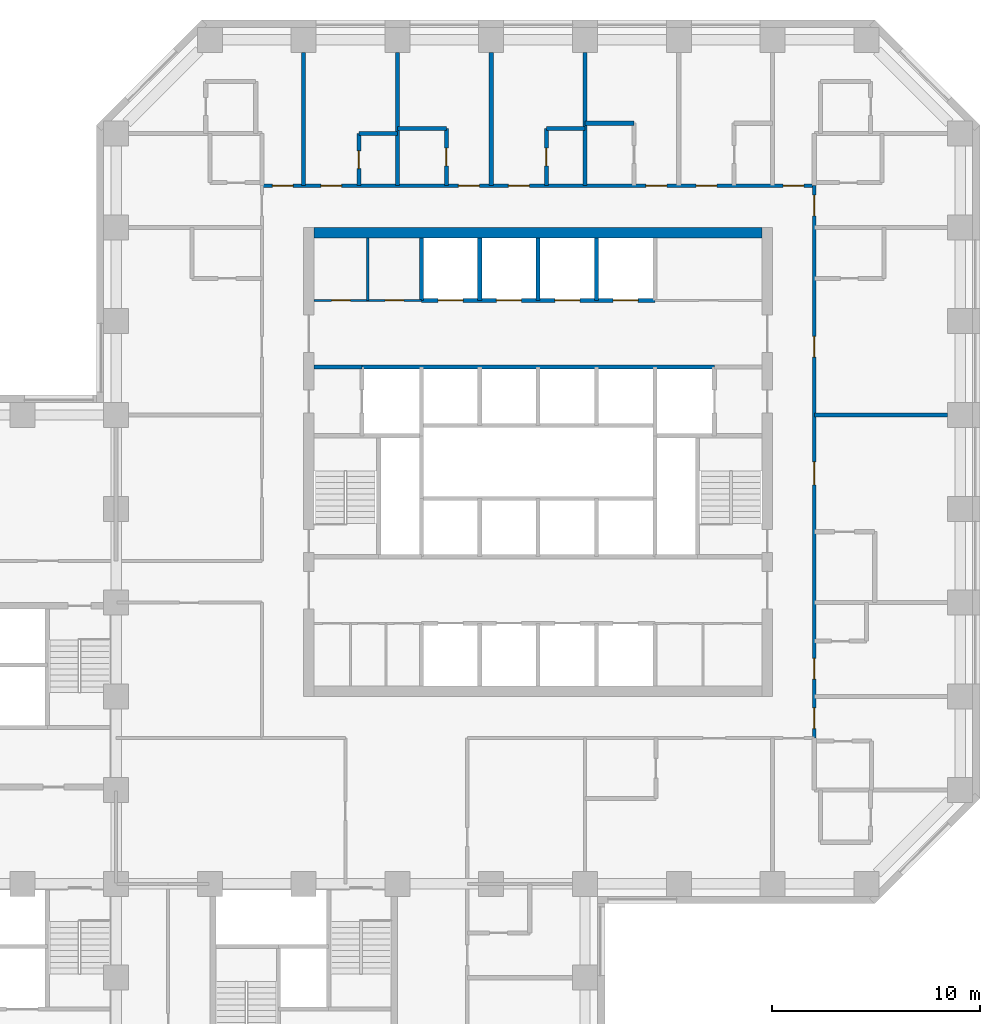
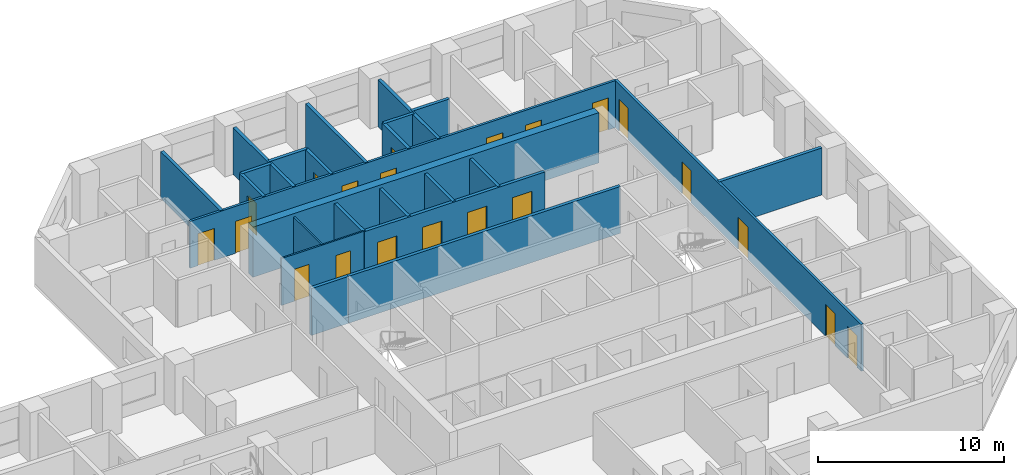
# One storey, part 9 of 12: 24 walls, 21 doors, 21 openings.
"""IFC4 building model written with IfcOpenShell, lengths in metres."""

from ifc_helpers import new_model, si_unit, direction, frame, frame_2d, origin, place, context, subcontext, project, spatial, rectangle, extrude, material, layer, layer_set, type_object, element, fill, save


model = new_model("IFC4")

# Units and contexts
model_context = context("Model", 3, precision=1e-05, world=origin(), true_north=direction((0.0, 1.0)))
body_context = subcontext(model_context, "Body", "Model", "MODEL_VIEW")
ifc_project = project(units=[si_unit("LENGTHUNIT", "METRE"), si_unit("AREAUNIT", "SQUARE_METRE"), si_unit("VOLUMEUNIT", "CUBIC_METRE"), si_unit("PLANEANGLEUNIT", "RADIAN"), si_unit("MASSUNIT", "GRAM", prefix="KILO")], contexts=[model_context])

# Site, building, storey
site_placement = place(None, origin())
site = spatial("IfcSite", under=ifc_project, at=site_placement, CompositionType="ELEMENT")
building_placement = place(site_placement, origin())
building = spatial("IfcBuilding", under=site, at=building_placement, Name="Quoin Convention Tower", CompositionType="ELEMENT")
storey_placement = place(building_placement, frame((0.0, 0.0, 56.10009765625)))
storey = spatial("IfcBuildingStorey", under=building, at=storey_placement, Name="L14", CompositionType="ELEMENT", Elevation=56.10009765625)

# Wall, openings, doors
ifc_material_1 = material(Name="Plasterboard")
ifc_layer_1 = layer(ifc_material_1, 0.012451171875, Name="Finish")
ifc_material_2 = material(Name="Steel stud framing", Category="steel")
ifc_layer_2 = layer(ifc_material_2, 0.074951171875, Name="Structure")
ifc_layer_3 = layer(ifc_material_1, 0.012451171875, Name="Finish")
ifc_layer_set_1 = layer_set([ifc_layer_1, ifc_layer_2, ifc_layer_3], Name="Steel stud framing")
wall_type_1 = type_object("IfcWallType", Name="Core partition wall", PredefinedType="PARTITIONING", material=ifc_layer_set_1)
wall_1_placement = place(storey_placement, frame((45.5, 68.5, 0.0), z_axis=(0.0, 0.0, 1.0), x_axis=(1.0, 0.0, 0.0)))
wall_1 = element("IfcWall", 1, at=wall_1_placement, inside=storey, type_object=wall_type_1, Name="cr-C1-L14-h19000_500", PredefinedType="PARTITIONING", context=body_context, shape_type="SweptSolid", body=[
    extrude(rectangle(XDim=5.14990234375, YDim=0.10009765625, at=frame_2d((2.574951171875, 0.0))), origin(), (0.0, 0.0, 1.0), 3.079833984375),
])
opening_1_placement = place(wall_1_placement, frame((0.83740234375, 0.0, 0.0)))
opening_1 = element("IfcOpeningElement", 2, at=opening_1_placement, cuts=wall_1, Name="Opening DCV5-18", PredefinedType="OPENING", context=body_context, shape_type="SweptSolid", body=[
    extrude(rectangle(XDim=0.89990234375, YDim=2.10009765625, at=frame_2d((0.449951171875, 1.050048828125))), frame((0.0, 0.06005859375, 0.0), z_axis=(0.0, -1.0, 0.0), x_axis=(1.0, 0.0, 0.0)), (0.0, 0.0, 1.0), 0.1201171875),
])
opening_2_placement = place(wall_1_placement, frame((3.41259765625, 0.0, 0.0)))
opening_2 = element("IfcOpeningElement", 3, at=opening_2_placement, cuts=wall_1, Name="Opening DCV5-19", PredefinedType="OPENING", context=body_context, shape_type="SweptSolid", body=[
    extrude(rectangle(XDim=0.89990234375, YDim=2.10009765625, at=frame_2d((0.449951171875, 1.050048828125))), frame((0.0, 0.06005859375, 0.0), z_axis=(0.0, -1.0, 0.0), x_axis=(1.0, 0.0, 0.0)), (0.0, 0.0, 1.0), 0.1201171875),
])
ifc_material_3 = material(Name="Steel door leaf", Category="steel")
door_type_1 = type_object("IfcDoorType", Name="Core room door 900 x 2100", OperationType="SINGLE_SWING_LEFT", PredefinedType="DOOR", material=ifc_material_3)
door_1_placement = place(opening_1_placement, origin())
door_1 = element("IfcDoor", 4, at=door_1_placement, inside=storey, type_object=door_type_1, Name="cd-C1-L14-CNW0-lobB-CD1408", OperationType="SINGLE_SWING_RIGHT", OverallHeight=2.10009765625, OverallWidth=0.89990234375, PredefinedType="DOOR", context=body_context, shape_type="SweptSolid", body=[
    extrude(rectangle(XDim=0.89990234375, YDim=2.10009765625, at=frame_2d((0.449951171875, 1.050048828125))), frame((0.0, 0.02490234375, 0.0), z_axis=(0.0, -1.0, 0.0), x_axis=(1.0, 0.0, 0.0)), (0.0, 0.0, 1.0), 0.050048828125),
])
fill(opening_1, door_1)
door_2_placement = place(opening_2_placement, origin())
door_2 = element("IfcDoor", 5, at=door_2_placement, inside=storey, type_object=door_type_1, Name="cd-C1-L14-CNW1-lobB-CD1409", OperationType="SINGLE_SWING_RIGHT", OverallHeight=2.10009765625, OverallWidth=0.89990234375, PredefinedType="DOOR", context=body_context, shape_type="SweptSolid", body=[
    extrude(rectangle(XDim=0.89990234375, YDim=2.10009765625, at=frame_2d((0.449951171875, 1.050048828125))), frame((0.0, 0.02490234375, 0.0), z_axis=(0.0, -1.0, 0.0), x_axis=(1.0, 0.0, 0.0)), (0.0, 0.0, 1.0), 0.050048828125),
])
fill(opening_2, door_2)

# Walls
wall_2_placement = place(storey_placement, frame((48.074951171875, 68.5, 0.0), z_axis=(0.0, 0.0, 1.0), x_axis=(0.0, 1.0, 0.0)))
element("IfcWall", 6, at=wall_2_placement, inside=storey, type_object=wall_type_1, Name="cr-C1-L14-v3075_19000", PredefinedType="PARTITIONING", context=body_context, shape_type="SweptSolid", body=[
    extrude(rectangle(XDim=3.0, YDim=0.10009765625, at=frame_2d((1.5, 0.0))), origin(), (0.0, 0.0, 1.0), 3.079833984375),
])
ifc_material_4 = material(Name="Concrete C50", Category="concrete")
ifc_layer_4 = layer(ifc_material_4, 0.199951171875)
ifc_layer_set_2 = layer_set([ifc_layer_4], Name="Concrete C50")
wall_type_2 = type_object("IfcWallType", Name="Core shaft wall", PredefinedType="SOLIDWALL", material=ifc_layer_set_2)
wall_3_placement = place(storey_placement, frame((45.5, 65.300048828125, 0.0), z_axis=(0.0, 0.0, 1.0), x_axis=(1.0, 0.0, 0.0)))
element("IfcWall", 7, at=wall_3_placement, inside=storey, type_object=wall_type_2, Name="cr-C1-L14-h15800_500", PredefinedType="SOLIDWALL", context=body_context, shape_type="SweptSolid", body=[
    extrude(rectangle(XDim=2.300048828125, YDim=0.199951171875, at=frame_2d((1.14990234375, 0.0))), origin(), (0.0, 0.0, 1.0), 3.079833984375),
])
wall_4_placement = place(storey_placement, frame((47.800048828125, 65.300048828125, 0.0), z_axis=(0.0, 0.0, 1.0), x_axis=(1.0, 0.0, 0.0)))
element("IfcWall", 8, at=wall_4_placement, inside=storey, type_object=wall_type_2, Name="cr-C1-L14-h15800_2800", PredefinedType="SOLIDWALL", context=body_context, shape_type="SweptSolid", body=[
    extrude(rectangle(XDim=16.89990234375, YDim=0.199951171875, at=frame_2d((8.449951171875, 0.0))), origin(), (0.0, 0.0, 1.0), 3.079833984375),
])

# Wall, openings, doors
wall_5_placement = place(storey_placement, frame((50.64990234375, 68.5, 0.0), z_axis=(0.0, 0.0, 1.0), x_axis=(1.0, 0.0, 0.0)))
wall_5 = element("IfcWall", 9, at=wall_5_placement, inside=storey, type_object=wall_type_2, Name="cr-C1-L14-h19000_5650", PredefinedType="SOLIDWALL", context=body_context, shape_type="SweptSolid", body=[
    extrude(rectangle(XDim=11.2001953125, YDim=0.199951171875, at=frame_2d((5.60009765625, 0.0))), origin(), (0.0, 0.0, 1.0), 3.079833984375),
])
opening_3_placement = place(wall_5_placement, frame((0.800048828125, 0.0, 0.0)))
opening_3 = element("IfcOpeningElement", 10, at=opening_3_placement, cuts=wall_5, Name="Opening LDL5", PredefinedType="OPENING", context=body_context, shape_type="SweptSolid", body=[
    extrude(rectangle(XDim=1.199951171875, YDim=2.10009765625, at=frame_2d((0.60009765625, 1.050048828125))), frame((0.0, 0.10986328125, 0.0), z_axis=(0.0, -1.0, 0.0), x_axis=(1.0, 0.0, 0.0)), (0.0, 0.0, 1.0), 0.219970703125),
])
opening_4_placement = place(wall_5_placement, frame((3.60009765625, 0.0, 0.0)))
opening_4 = element("IfcOpeningElement", 11, at=opening_4_placement, cuts=wall_5, Name="Opening LDL6", PredefinedType="OPENING", context=body_context, shape_type="SweptSolid", body=[
    extrude(rectangle(XDim=1.199951171875, YDim=2.10009765625, at=frame_2d((0.60009765625, 1.050048828125))), frame((0.0, 0.10986328125, 0.0), z_axis=(0.0, -1.0, 0.0), x_axis=(1.0, 0.0, 0.0)), (0.0, 0.0, 1.0), 0.219970703125),
])
opening_5_placement = place(wall_5_placement, frame((6.39990234375, 0.0, 0.0)))
opening_5 = element("IfcOpeningElement", 12, at=opening_5_placement, cuts=wall_5, Name="Opening LDL7", PredefinedType="OPENING", context=body_context, shape_type="SweptSolid", body=[
    extrude(rectangle(XDim=1.199951171875, YDim=2.10009765625, at=frame_2d((0.60009765625, 1.050048828125))), frame((0.0, 0.10986328125, 0.0), z_axis=(0.0, -1.0, 0.0), x_axis=(1.0, 0.0, 0.0)), (0.0, 0.0, 1.0), 0.219970703125),
])
opening_6_placement = place(wall_5_placement, frame((9.199951171875, 0.0, 0.0)))
opening_6 = element("IfcOpeningElement", 13, at=opening_6_placement, cuts=wall_5, Name="Opening LDL8", PredefinedType="OPENING", context=body_context, shape_type="SweptSolid", body=[
    extrude(rectangle(XDim=1.199951171875, YDim=2.10009765625, at=frame_2d((0.60009765625, 1.050048828125))), frame((0.0, 0.10986328125, 0.0), z_axis=(0.0, -1.0, 0.0), x_axis=(1.0, 0.0, 0.0)), (0.0, 0.0, 1.0), 0.219970703125),
])
door_type_2 = type_object("IfcDoorType", Name="Lift landing door 1200 x 2100", OperationType="DOUBLE_DOOR_SLIDING", PredefinedType="DOOR", material=ifc_material_3)
door_3_placement = place(opening_3_placement, origin())
door_3 = element("IfcDoor", 14, at=door_3_placement, inside=storey, type_object=door_type_2, Name="cd-C1-L14-R40-lobB-LDL5", OperationType="DOUBLE_DOOR_SLIDING", OverallHeight=2.10009765625, OverallWidth=1.199951171875, PredefinedType="DOOR", context=body_context, shape_type="SweptSolid", body=[
    extrude(rectangle(XDim=1.199951171875, YDim=2.10009765625, at=frame_2d((0.60009765625, 1.050048828125))), frame((0.0, 0.02490234375, 0.0), z_axis=(0.0, -1.0, 0.0), x_axis=(1.0, 0.0, 0.0)), (0.0, 0.0, 1.0), 0.050048828125),
])
fill(opening_3, door_3)
door_4_placement = place(opening_4_placement, origin())
door_4 = element("IfcDoor", 15, at=door_4_placement, inside=storey, type_object=door_type_2, Name="cd-C1-L14-R41-lobB-LDL6", OperationType="DOUBLE_DOOR_SLIDING", OverallHeight=2.10009765625, OverallWidth=1.199951171875, PredefinedType="DOOR", context=body_context, shape_type="SweptSolid", body=[
    extrude(rectangle(XDim=1.199951171875, YDim=2.10009765625, at=frame_2d((0.60009765625, 1.050048828125))), frame((0.0, 0.02490234375, 0.0), z_axis=(0.0, -1.0, 0.0), x_axis=(1.0, 0.0, 0.0)), (0.0, 0.0, 1.0), 0.050048828125),
])
fill(opening_4, door_4)
door_5_placement = place(opening_5_placement, origin())
door_5 = element("IfcDoor", 16, at=door_5_placement, inside=storey, type_object=door_type_2, Name="cd-C1-L14-R42-lobB-LDL7", OperationType="DOUBLE_DOOR_SLIDING", OverallHeight=2.10009765625, OverallWidth=1.199951171875, PredefinedType="DOOR", context=body_context, shape_type="SweptSolid", body=[
    extrude(rectangle(XDim=1.199951171875, YDim=2.10009765625, at=frame_2d((0.60009765625, 1.050048828125))), frame((0.0, 0.02490234375, 0.0), z_axis=(0.0, -1.0, 0.0), x_axis=(1.0, 0.0, 0.0)), (0.0, 0.0, 1.0), 0.050048828125),
])
fill(opening_5, door_5)
door_6_placement = place(opening_6_placement, origin())
door_6 = element("IfcDoor", 17, at=door_6_placement, inside=storey, type_object=door_type_2, Name="cd-C1-L14-R43-lobB-LDL8", OperationType="DOUBLE_DOOR_SLIDING", OverallHeight=2.10009765625, OverallWidth=1.199951171875, PredefinedType="DOOR", context=body_context, shape_type="SweptSolid", body=[
    extrude(rectangle(XDim=1.199951171875, YDim=2.10009765625, at=frame_2d((0.60009765625, 1.050048828125))), frame((0.0, 0.02490234375, 0.0), z_axis=(0.0, -1.0, 0.0), x_axis=(1.0, 0.0, 0.0)), (0.0, 0.0, 1.0), 0.050048828125),
])
fill(opening_6, door_6)

# Walls
for number, where, z_axis, x_axis, name in (
    (18, (50.64990234375, 68.5, 0.0), (0.0, 0.0, 1.0), (0.0, 1.0, 0.0), "cr-C1-L14-v5650_19000"),
    (19, (53.449951171875, 68.5, 0.0), (0.0, 0.0, 1.0), (0.0, 1.0, 0.0), "cr-C1-L14-v8450_19000"),
    (20, (56.25, 68.5, 0.0), (0.0, 0.0, 1.0), (0.0, 1.0, 0.0), "cr-C1-L14-v11250_19000"),
    (21, (59.050048828125, 68.5, 0.0), (0.0, 0.0, 1.0), (0.0, 1.0, 0.0), "cr-C1-L14-v14050_19000"),
):
    element("IfcWall", number, at=place(storey_placement, frame(where, z_axis=z_axis, x_axis=x_axis)), inside=storey, type_object=wall_type_2, Name=name, PredefinedType="SOLIDWALL", context=body_context, shape_type="SweptSolid", body=[
        extrude(rectangle(XDim=3.0, YDim=0.199951171875, at=frame_2d((1.5, 0.0))), origin(), (0.0, 0.0, 1.0), 3.079833984375),
    ])
ifc_material_5 = material(Name="Concrete C80", Category="concrete")
ifc_layer_5 = layer(ifc_material_5, 0.5)
ifc_layer_set_3 = layer_set([ifc_layer_5], Name="Concrete C80")
wall_type_3 = type_object("IfcWallType", Name="RC CORE WALL 500 C80", PredefinedType="SHEAR", material=ifc_layer_set_3)
wall_6_placement = place(storey_placement, frame((45.5, 71.75, 0.0), z_axis=(0.0, 0.0, 1.0), x_axis=(1.0, 0.0, 0.0)))
element("IfcWall", 22, at=wall_6_placement, inside=storey, type_object=wall_type_3, Name="cwl-C1-L14-N", PredefinedType="SHEAR", context=body_context, shape_type="SweptSolid", body=[
    extrude(rectangle(XDim=21.5, YDim=0.5, at=frame_2d((10.75, 0.0))), origin(), (0.0, 0.0, 1.0), 3.2998046875),
])
ifc_layer_6 = layer(ifc_material_4, 0.199951171875)
ifc_layer_set_4 = layer_set([ifc_layer_6], Name="Concrete C50")
wall_type_4 = type_object("IfcWallType", Name="RC party wall", PredefinedType="SOLIDWALL", material=ifc_layer_set_4)
for number, where, z_axis, x_axis, name in (
    (23, (69.5, 63.0, 0.0), (0.0, 0.0, 1.0), (1.0, 0.0, 0.0), "pw-L14-113"),
    (24, (45.0, 74.0, 0.0), (0.0, 0.0, 1.0), (0.0, 1.0, 0.0), "pw-L14-121"),
):
    element("IfcWall", number, at=place(storey_placement, frame(where, z_axis=z_axis, x_axis=x_axis)), inside=storey, type_object=wall_type_4, Name=name, PredefinedType="SOLIDWALL", context=body_context, shape_type="SweptSolid", body=[
        extrude(rectangle(XDim=6.39990234375, YDim=0.199951171875, at=frame_2d((3.199951171875, 0.0))), origin(), (0.0, 0.0, 1.0), 3.079833984375),
    ])

# Wall, opening, door
wall_7_placement = place(storey_placement, frame((47.64990234375, 74.0, 0.0), z_axis=(0.0, 0.0, 1.0), x_axis=(0.0, 1.0, 0.0)))
wall_7 = element("IfcWall", 25, at=wall_7_placement, inside=storey, type_object=wall_type_4, Name="pw-L14-122", PredefinedType="SOLIDWALL", context=body_context, shape_type="SweptSolid", body=[
    extrude(rectangle(XDim=2.5, YDim=0.199951171875, at=frame_2d((1.25, 0.0))), origin(), (0.0, 0.0, 1.0), 3.079833984375),
])
opening_7_placement = place(wall_7_placement, frame((0.824951171875, 0.0, 0.0)))
opening_7 = element("IfcOpeningElement", 26, at=opening_7_placement, cuts=wall_7, Name="Opening DHOTEL-C-65", PredefinedType="OPENING", context=body_context, shape_type="SweptSolid", body=[
    extrude(rectangle(XDim=0.85009765625, YDim=2.10009765625, at=frame_2d((0.425048828125, 1.050048828125))), frame((0.0, 0.10986328125, 0.0), z_axis=(0.0, -1.0, 0.0), x_axis=(1.0, 0.0, 0.0)), (0.0, 0.0, 1.0), 0.219970703125),
])
door_type_3 = type_object("IfcDoorType", Name="Bathroom door", OperationType="SINGLE_SWING_LEFT", PredefinedType="DOOR", material=ifc_material_3)
door_7_placement = place(opening_7_placement, origin())
door_7 = element("IfcDoor", 27, at=door_7_placement, inside=storey, type_object=door_type_3, Name="dr-L14-038", OperationType="SINGLE_SWING_LEFT", OverallHeight=2.10009765625, OverallWidth=0.85009765625, PredefinedType="DOOR", context=body_context, shape_type="SweptSolid", body=[
    extrude(rectangle(XDim=0.85009765625, YDim=2.10009765625, at=frame_2d((0.425048828125, 1.050048828125))), frame((0.0, 0.02490234375, 0.0), z_axis=(0.0, -1.0, 0.0), x_axis=(1.0, 0.0, 0.0)), (0.0, 0.0, 1.0), 0.050048828125),
])
fill(opening_7, door_7)

# Wall
wall_8_placement = place(storey_placement, frame((49.5, 74.0, 0.0), z_axis=(0.0, 0.0, 1.0), x_axis=(0.0, 1.0, 0.0)))
element("IfcWall", 28, at=wall_8_placement, inside=storey, type_object=wall_type_4, Name="pw-L14-123", PredefinedType="SOLIDWALL", context=body_context, shape_type="SweptSolid", body=[
    extrude(rectangle(XDim=6.39990234375, YDim=0.199951171875, at=frame_2d((3.199951171875, 0.0))), origin(), (0.0, 0.0, 1.0), 3.079833984375),
])

# Wall, opening, door
wall_9_placement = place(storey_placement, frame((51.85009765625, 74.0, 0.0), z_axis=(0.0, 0.0, 1.0), x_axis=(0.0, 1.0, 0.0)))
wall_9 = element("IfcWall", 29, at=wall_9_placement, inside=storey, type_object=wall_type_4, Name="pw-L14-124", PredefinedType="SOLIDWALL", context=body_context, shape_type="SweptSolid", body=[
    extrude(rectangle(XDim=2.75, YDim=0.199951171875, at=frame_2d((1.375, 0.0))), origin(), (0.0, 0.0, 1.0), 3.079833984375),
])
opening_8_placement = place(wall_9_placement, frame((0.949951171875, 0.0, 0.0)))
opening_8 = element("IfcOpeningElement", 30, at=opening_8_placement, cuts=wall_9, Name="Opening DHOTEL-C-66", PredefinedType="OPENING", context=body_context, shape_type="SweptSolid", body=[
    extrude(rectangle(XDim=0.85009765625, YDim=2.10009765625, at=frame_2d((0.425048828125, 1.050048828125))), frame((0.0, 0.10986328125, 0.0), z_axis=(0.0, -1.0, 0.0), x_axis=(1.0, 0.0, 0.0)), (0.0, 0.0, 1.0), 0.219970703125),
])
door_8_placement = place(opening_8_placement, frame((0.85009765625, 0.0, 0.0), z_axis=(0.0, 0.0, 1.0), x_axis=(-1.0, 0.0, 0.0)))
door_8 = element("IfcDoor", 31, at=door_8_placement, inside=storey, type_object=door_type_3, Name="dr-L14-040", OperationType="SINGLE_SWING_RIGHT", OverallHeight=2.10009765625, OverallWidth=0.85009765625, PredefinedType="DOOR", context=body_context, shape_type="SweptSolid", body=[
    extrude(rectangle(XDim=0.85009765625, YDim=2.10009765625, at=frame_2d((0.425048828125, 1.050048828125))), frame((0.0, 0.02490234375, 0.0), z_axis=(0.0, -1.0, 0.0), x_axis=(1.0, 0.0, 0.0)), (0.0, 0.0, 1.0), 0.050048828125),
])
fill(opening_8, door_8)

# Wall
wall_10_placement = place(storey_placement, frame((54.0, 74.0, 0.0), z_axis=(0.0, 0.0, 1.0), x_axis=(0.0, 1.0, 0.0)))
element("IfcWall", 32, at=wall_10_placement, inside=storey, type_object=wall_type_4, Name="pw-L14-125", PredefinedType="SOLIDWALL", context=body_context, shape_type="SweptSolid", body=[
    extrude(rectangle(XDim=6.39990234375, YDim=0.199951171875, at=frame_2d((3.199951171875, 0.0))), origin(), (0.0, 0.0, 1.0), 3.079833984375),
])

# Wall, opening, door
wall_11_placement = place(storey_placement, frame((56.64990234375, 74.0, 0.0), z_axis=(0.0, 0.0, 1.0), x_axis=(0.0, 1.0, 0.0)))
wall_11 = element("IfcWall", 33, at=wall_11_placement, inside=storey, type_object=wall_type_4, Name="pw-L14-126", PredefinedType="SOLIDWALL", context=body_context, shape_type="SweptSolid", body=[
    extrude(rectangle(XDim=2.75, YDim=0.199951171875, at=frame_2d((1.375, 0.0))), origin(), (0.0, 0.0, 1.0), 3.079833984375),
])
opening_9_placement = place(wall_11_placement, frame((0.949951171875, 0.0, 0.0)))
opening_9 = element("IfcOpeningElement", 34, at=opening_9_placement, cuts=wall_11, Name="Opening DHOTEL-C-67", PredefinedType="OPENING", context=body_context, shape_type="SweptSolid", body=[
    extrude(rectangle(XDim=0.85009765625, YDim=2.10009765625, at=frame_2d((0.425048828125, 1.050048828125))), frame((0.0, 0.10986328125, 0.0), z_axis=(0.0, -1.0, 0.0), x_axis=(1.0, 0.0, 0.0)), (0.0, 0.0, 1.0), 0.219970703125),
])
door_9_placement = place(opening_9_placement, origin())
door_9 = element("IfcDoor", 35, at=door_9_placement, inside=storey, type_object=door_type_3, Name="dr-L14-042", OperationType="SINGLE_SWING_LEFT", OverallHeight=2.10009765625, OverallWidth=0.85009765625, PredefinedType="DOOR", context=body_context, shape_type="SweptSolid", body=[
    extrude(rectangle(XDim=0.85009765625, YDim=2.10009765625, at=frame_2d((0.425048828125, 1.050048828125))), frame((0.0, 0.02490234375, 0.0), z_axis=(0.0, -1.0, 0.0), x_axis=(1.0, 0.0, 0.0)), (0.0, 0.0, 1.0), 0.050048828125),
])
fill(opening_9, door_9)

# Walls
wall_12_placement = place(storey_placement, frame((58.5, 74.0, 0.0), z_axis=(0.0, 0.0, 1.0), x_axis=(0.0, 1.0, 0.0)))
element("IfcWall", 36, at=wall_12_placement, inside=storey, type_object=wall_type_4, Name="pw-L14-127", PredefinedType="SOLIDWALL", context=body_context, shape_type="SweptSolid", body=[
    extrude(rectangle(XDim=6.39990234375, YDim=0.199951171875, at=frame_2d((3.199951171875, 0.0))), origin(), (0.0, 0.0, 1.0), 3.079833984375),
])
wall_13_placement = place(storey_placement, frame((47.64990234375, 76.5, 0.0), z_axis=(0.0, 0.0, 1.0), x_axis=(1.0, 0.0, 0.0)))
element("IfcWall", 37, at=wall_13_placement, inside=storey, type_object=wall_type_4, Name="pw-L14-140", PredefinedType="SOLIDWALL", context=body_context, shape_type="SweptSolid", body=[
    extrude(rectangle(XDim=1.85009765625, YDim=0.199951171875, at=frame_2d((0.925048828125, 0.0))), origin(), (0.0, 0.0, 1.0), 3.079833984375),
])
wall_14_placement = place(storey_placement, frame((49.5, 76.75, 0.0), z_axis=(0.0, 0.0, 1.0), x_axis=(1.0, 0.0, 0.0)))
element("IfcWall", 38, at=wall_14_placement, inside=storey, type_object=wall_type_4, Name="pw-L14-144", PredefinedType="SOLIDWALL", context=body_context, shape_type="SweptSolid", body=[
    extrude(rectangle(XDim=2.35009765625, YDim=0.199951171875, at=frame_2d((1.175048828125, 0.0))), origin(), (0.0, 0.0, 1.0), 3.079833984375),
])
wall_15_placement = place(storey_placement, frame((56.64990234375, 76.75, 0.0), z_axis=(0.0, 0.0, 1.0), x_axis=(1.0, 0.0, 0.0)))
element("IfcWall", 39, at=wall_15_placement, inside=storey, type_object=wall_type_4, Name="pw-L14-145", PredefinedType="SOLIDWALL", context=body_context, shape_type="SweptSolid", body=[
    extrude(rectangle(XDim=1.85009765625, YDim=0.199951171875, at=frame_2d((0.925048828125, 0.0))), origin(), (0.0, 0.0, 1.0), 3.079833984375),
])
wall_16_placement = place(storey_placement, frame((58.5, 77.0, 0.0), z_axis=(0.0, 0.0, 1.0), x_axis=(1.0, 0.0, 0.0)))
element("IfcWall", 40, at=wall_16_placement, inside=storey, type_object=wall_type_4, Name="pw-L14-146", PredefinedType="SOLIDWALL", context=body_context, shape_type="SweptSolid", body=[
    extrude(rectangle(XDim=2.35009765625, YDim=0.199951171875, at=frame_2d((1.175048828125, 0.0))), origin(), (0.0, 0.0, 1.0), 3.079833984375),
])

# Wall, openings, doors
ifc_layer_7 = layer(ifc_material_1, 0.012451171875, Name="Finish")
ifc_layer_8 = layer(ifc_material_2, 0.125, Name="Structure")
ifc_layer_9 = layer(ifc_material_1, 0.012451171875, Name="Finish")
ifc_layer_set_5 = layer_set([ifc_layer_7, ifc_layer_8, ifc_layer_9], Name="Steel stud framing")
wall_type_5 = type_object("IfcWallType", Name="corridor partition", PredefinedType="PARTITIONING", material=ifc_layer_set_5)
wall_17_placement = place(storey_placement, frame((69.5, 47.5, 0.0), z_axis=(0.0, 0.0, 1.0), x_axis=(0.0, 1.0, 0.0)))
wall_17 = element("IfcWall", 41, at=wall_17_placement, inside=storey, type_object=wall_type_5, Name="pw-L14-029", PredefinedType="PARTITIONING", context=body_context, shape_type="SweptSolid", body=[
    extrude(rectangle(XDim=26.5, YDim=0.14990234375, at=frame_2d((13.25, 0.0))), origin(), (0.0, 0.0, 1.0), 3.079833984375),
])
opening_10_placement = place(wall_17_placement, frame((25.052978515625, 0.0, 0.0)))
opening_10 = element("IfcOpeningElement", 42, at=opening_10_placement, cuts=wall_17, Name="Opening DHOTEL-C-29", PredefinedType="OPENING", context=body_context, shape_type="SweptSolid", body=[
    extrude(rectangle(XDim=1.0, YDim=2.10009765625, at=frame_2d((0.5, 1.050048828125))), frame((0.0, 0.0849609375, 0.0), z_axis=(0.0, -1.0, 0.0), x_axis=(1.0, 0.0, 0.0)), (0.0, 0.0, 1.0), 0.169921875),
])
opening_11_placement = place(wall_17_placement, frame((18.27490234375, 0.0, 0.0)))
opening_11 = element("IfcOpeningElement", 43, at=opening_11_placement, cuts=wall_17, Name="Opening DHOTEL-C-28", PredefinedType="OPENING", context=body_context, shape_type="SweptSolid", body=[
    extrude(rectangle(XDim=1.0, YDim=2.10009765625, at=frame_2d((0.5, 1.050048828125))), frame((0.0, 0.0849609375, 0.0), z_axis=(0.0, -1.0, 0.0), x_axis=(1.0, 0.0, 0.0)), (0.0, 0.0, 1.0), 0.169921875),
])
opening_12_placement = place(wall_17_placement, frame((12.14990234375, 0.0, 0.0)))
opening_12 = element("IfcOpeningElement", 44, at=opening_12_placement, cuts=wall_17, Name="Opening DHOTEL-C-27", PredefinedType="OPENING", context=body_context, shape_type="SweptSolid", body=[
    extrude(rectangle(XDim=1.10009765625, YDim=2.10009765625, at=frame_2d((0.550048828125, 1.050048828125))), frame((0.0, 0.0849609375, 0.0), z_axis=(0.0, -1.0, 0.0), x_axis=(1.0, 0.0, 0.0)), (0.0, 0.0, 1.0), 0.169921875),
])
opening_13_placement = place(wall_17_placement, frame((2.824951171875, 0.0, 0.0)))
opening_13 = element("IfcOpeningElement", 45, at=opening_13_placement, cuts=wall_17, Name="Opening DHOTEL-C-26", PredefinedType="OPENING", context=body_context, shape_type="SweptSolid", body=[
    extrude(rectangle(XDim=1.0, YDim=2.10009765625, at=frame_2d((0.5, 1.050048828125))), frame((0.0, 0.0849609375, 0.0), z_axis=(0.0, -1.0, 0.0), x_axis=(1.0, 0.0, 0.0)), (0.0, 0.0, 1.0), 0.169921875),
])
opening_14_placement = place(wall_17_placement, frame((0.447021484375, 0.0, 0.0)))
opening_14 = element("IfcOpeningElement", 46, at=opening_14_placement, cuts=wall_17, Name="Opening DHOTEL-C-25", PredefinedType="OPENING", context=body_context, shape_type="SweptSolid", body=[
    extrude(rectangle(XDim=1.0, YDim=2.10009765625, at=frame_2d((0.5, 1.050048828125))), frame((0.0, 0.0849609375, 0.0), z_axis=(0.0, -1.0, 0.0), x_axis=(1.0, 0.0, 0.0)), (0.0, 0.0, 1.0), 0.169921875),
])
door_type_4 = type_object("IfcDoorType", Name="Accessible room door", OperationType="SINGLE_SWING_LEFT", PredefinedType="DOOR", material=ifc_material_3)
door_10_placement = place(opening_12_placement, frame((1.10009765625, 0.0, 0.0), z_axis=(0.0, 0.0, 1.0), x_axis=(-1.0, 0.0, 0.0)))
door_10 = element("IfcDoor", 47, at=door_10_placement, inside=storey, type_object=door_type_4, Name="dr-L14-051", OperationType="SINGLE_SWING_LEFT", OverallHeight=2.10009765625, OverallWidth=1.10009765625, PredefinedType="DOOR", context=body_context, shape_type="SweptSolid", body=[
    extrude(rectangle(XDim=1.10009765625, YDim=2.10009765625, at=frame_2d((0.550048828125, 1.050048828125))), frame((0.0, 0.02490234375, 0.0), z_axis=(0.0, -1.0, 0.0), x_axis=(1.0, 0.0, 0.0)), (0.0, 0.0, 1.0), 0.050048828125),
])
fill(opening_12, door_10)
door_type_5 = type_object("IfcDoorType", Name="Hotel room door", OperationType="SINGLE_SWING_LEFT", PredefinedType="DOOR", material=ifc_material_3)
door_11_placement = place(opening_10_placement, frame((1.0, 0.0, 0.0), z_axis=(0.0, 0.0, 1.0), x_axis=(-1.0, 0.0, 0.0)))
door_11 = element("IfcDoor", 48, at=door_11_placement, inside=storey, type_object=door_type_5, Name="dr-L14-047", OperationType="SINGLE_SWING_LEFT", OverallHeight=2.10009765625, OverallWidth=1.0, PredefinedType="DOOR", context=body_context, shape_type="SweptSolid", body=[
    extrude(rectangle(XDim=1.0, YDim=2.10009765625, at=frame_2d((0.5, 1.050048828125))), frame((0.0, 0.02490234375, 0.0), z_axis=(0.0, -1.0, 0.0), x_axis=(1.0, 0.0, 0.0)), (0.0, 0.0, 1.0), 0.050048828125),
])
fill(opening_10, door_11)
door_12_placement = place(opening_11_placement, frame((1.0, 0.0, 0.0), z_axis=(0.0, 0.0, 1.0), x_axis=(-1.0, 0.0, 0.0)))
door_12 = element("IfcDoor", 49, at=door_12_placement, inside=storey, type_object=door_type_5, Name="dr-L14-049", OperationType="SINGLE_SWING_LEFT", OverallHeight=2.10009765625, OverallWidth=1.0, PredefinedType="DOOR", context=body_context, shape_type="SweptSolid", body=[
    extrude(rectangle(XDim=1.0, YDim=2.10009765625, at=frame_2d((0.5, 1.050048828125))), frame((0.0, 0.02490234375, 0.0), z_axis=(0.0, -1.0, 0.0), x_axis=(1.0, 0.0, 0.0)), (0.0, 0.0, 1.0), 0.050048828125),
])
fill(opening_11, door_12)
door_13_placement = place(opening_13_placement, frame((1.0, 0.0, 0.0), z_axis=(0.0, 0.0, 1.0), x_axis=(-1.0, 0.0, 0.0)))
door_13 = element("IfcDoor", 50, at=door_13_placement, inside=storey, type_object=door_type_5, Name="dr-L14-053", OperationType="SINGLE_SWING_LEFT", OverallHeight=2.10009765625, OverallWidth=1.0, PredefinedType="DOOR", context=body_context, shape_type="SweptSolid", body=[
    extrude(rectangle(XDim=1.0, YDim=2.10009765625, at=frame_2d((0.5, 1.050048828125))), frame((0.0, 0.02490234375, 0.0), z_axis=(0.0, -1.0, 0.0), x_axis=(1.0, 0.0, 0.0)), (0.0, 0.0, 1.0), 0.050048828125),
])
fill(opening_13, door_13)
door_14_placement = place(opening_14_placement, frame((1.0, 0.0, 0.0), z_axis=(0.0, 0.0, 1.0), x_axis=(-1.0, 0.0, 0.0)))
door_14 = element("IfcDoor", 51, at=door_14_placement, inside=storey, type_object=door_type_5, Name="dr-L14-055", OperationType="SINGLE_SWING_LEFT", OverallHeight=2.10009765625, OverallWidth=1.0, PredefinedType="DOOR", context=body_context, shape_type="SweptSolid", body=[
    extrude(rectangle(XDim=1.0, YDim=2.10009765625, at=frame_2d((0.5, 1.050048828125))), frame((0.0, 0.02490234375, 0.0), z_axis=(0.0, -1.0, 0.0), x_axis=(1.0, 0.0, 0.0)), (0.0, 0.0, 1.0), 0.050048828125),
])
fill(opening_14, door_14)

wall_18_placement = place(storey_placement, frame((43.0, 74.0, 0.0), z_axis=(0.0, 0.0, 1.0), x_axis=(1.0, 0.0, 0.0)))
wall_18 = element("IfcWall", 52, at=wall_18_placement, inside=storey, type_object=wall_type_5, Name="pw-L14-034", PredefinedType="PARTITIONING", context=body_context, shape_type="SweptSolid", body=[
    extrude(rectangle(XDim=26.5, YDim=0.14990234375, at=frame_2d((13.25, 0.0))), origin(), (0.0, 0.0, 1.0), 3.079833984375),
])
opening_15_placement = place(wall_18_placement, frame((2.824951171875, 0.0, 0.0)))
opening_15 = element("IfcOpeningElement", 53, at=opening_15_placement, cuts=wall_18, Name="Opening DHOTEL-C-36", PredefinedType="OPENING", context=body_context, shape_type="SweptSolid", body=[
    extrude(rectangle(XDim=1.0, YDim=2.10009765625, at=frame_2d((0.5, 1.050048828125))), frame((0.0, 0.0849609375, 0.0), z_axis=(0.0, -1.0, 0.0), x_axis=(1.0, 0.0, 0.0)), (0.0, 0.0, 1.0), 0.169921875),
])
opening_16_placement = place(wall_18_placement, frame((9.425048828125, 0.0, 0.0)))
opening_16 = element("IfcOpeningElement", 54, at=opening_16_placement, cuts=wall_18, Name="Opening DHOTEL-C-37", PredefinedType="OPENING", context=body_context, shape_type="SweptSolid", body=[
    extrude(rectangle(XDim=1.0, YDim=2.10009765625, at=frame_2d((0.5, 1.050048828125))), frame((0.0, 0.0849609375, 0.0), z_axis=(0.0, -1.0, 0.0), x_axis=(1.0, 0.0, 0.0)), (0.0, 0.0, 1.0), 0.169921875),
])
opening_17_placement = place(wall_18_placement, frame((11.824951171875, 0.0, 0.0)))
opening_17 = element("IfcOpeningElement", 55, at=opening_17_placement, cuts=wall_18, Name="Opening DHOTEL-C-38", PredefinedType="OPENING", context=body_context, shape_type="SweptSolid", body=[
    extrude(rectangle(XDim=1.0, YDim=2.10009765625, at=frame_2d((0.5, 1.050048828125))), frame((0.0, 0.0849609375, 0.0), z_axis=(0.0, -1.0, 0.0), x_axis=(1.0, 0.0, 0.0)), (0.0, 0.0, 1.0), 0.169921875),
])
opening_18_placement = place(wall_18_placement, frame((18.425048828125, 0.0, 0.0)))
opening_18 = element("IfcOpeningElement", 56, at=opening_18_placement, cuts=wall_18, Name="Opening DHOTEL-C-39", PredefinedType="OPENING", context=body_context, shape_type="SweptSolid", body=[
    extrude(rectangle(XDim=1.0, YDim=2.10009765625, at=frame_2d((0.5, 1.050048828125))), frame((0.0, 0.0849609375, 0.0), z_axis=(0.0, -1.0, 0.0), x_axis=(1.0, 0.0, 0.0)), (0.0, 0.0, 1.0), 0.169921875),
])
opening_19_placement = place(wall_18_placement, frame((20.824951171875, 0.0, 0.0)))
opening_19 = element("IfcOpeningElement", 57, at=opening_19_placement, cuts=wall_18, Name="Opening DHOTEL-C-40", PredefinedType="OPENING", context=body_context, shape_type="SweptSolid", body=[
    extrude(rectangle(XDim=1.0, YDim=2.10009765625, at=frame_2d((0.5, 1.050048828125))), frame((0.0, 0.0849609375, 0.0), z_axis=(0.0, -1.0, 0.0), x_axis=(1.0, 0.0, 0.0)), (0.0, 0.0, 1.0), 0.169921875),
])
opening_20_placement = place(wall_18_placement, frame((0.5, 0.0, 0.0)))
opening_20 = element("IfcOpeningElement", 58, at=opening_20_placement, cuts=wall_18, Name="Opening DHOTEL-C-35", PredefinedType="OPENING", context=body_context, shape_type="SweptSolid", body=[
    extrude(rectangle(XDim=1.0, YDim=2.10009765625, at=frame_2d((0.5, 1.050048828125))), frame((0.0, 0.0849609375, 0.0), z_axis=(0.0, -1.0, 0.0), x_axis=(1.0, 0.0, 0.0)), (0.0, 0.0, 1.0), 0.169921875),
])
opening_21_placement = place(wall_18_placement, frame((25.0, 0.0, 0.0)))
opening_21 = element("IfcOpeningElement", 59, at=opening_21_placement, cuts=wall_18, Name="Opening DHOTEL-C-41", PredefinedType="OPENING", context=body_context, shape_type="SweptSolid", body=[
    extrude(rectangle(XDim=1.0, YDim=2.10009765625, at=frame_2d((0.5, 1.050048828125))), frame((0.0, 0.0849609375, 0.0), z_axis=(0.0, -1.0, 0.0), x_axis=(1.0, 0.0, 0.0)), (0.0, 0.0, 1.0), 0.169921875),
])
door_15_placement = place(opening_15_placement, origin())
door_15 = element("IfcDoor", 60, at=door_15_placement, inside=storey, type_object=door_type_5, Name="dr-L14-037", OperationType="SINGLE_SWING_RIGHT", OverallHeight=2.10009765625, OverallWidth=1.0, PredefinedType="DOOR", context=body_context, shape_type="SweptSolid", body=[
    extrude(rectangle(XDim=1.0, YDim=2.10009765625, at=frame_2d((0.5, 1.050048828125))), frame((0.0, 0.02490234375, 0.0), z_axis=(0.0, -1.0, 0.0), x_axis=(1.0, 0.0, 0.0)), (0.0, 0.0, 1.0), 0.050048828125),
])
fill(opening_15, door_15)
door_16_placement = place(opening_16_placement, origin())
door_16 = element("IfcDoor", 61, at=door_16_placement, inside=storey, type_object=door_type_5, Name="dr-L14-039", OperationType="SINGLE_SWING_RIGHT", OverallHeight=2.10009765625, OverallWidth=1.0, PredefinedType="DOOR", context=body_context, shape_type="SweptSolid", body=[
    extrude(rectangle(XDim=1.0, YDim=2.10009765625, at=frame_2d((0.5, 1.050048828125))), frame((0.0, 0.02490234375, 0.0), z_axis=(0.0, -1.0, 0.0), x_axis=(1.0, 0.0, 0.0)), (0.0, 0.0, 1.0), 0.050048828125),
])
fill(opening_16, door_16)
door_17_placement = place(opening_17_placement, origin())
door_17 = element("IfcDoor", 62, at=door_17_placement, inside=storey, type_object=door_type_5, Name="dr-L14-041", OperationType="SINGLE_SWING_RIGHT", OverallHeight=2.10009765625, OverallWidth=1.0, PredefinedType="DOOR", context=body_context, shape_type="SweptSolid", body=[
    extrude(rectangle(XDim=1.0, YDim=2.10009765625, at=frame_2d((0.5, 1.050048828125))), frame((0.0, 0.02490234375, 0.0), z_axis=(0.0, -1.0, 0.0), x_axis=(1.0, 0.0, 0.0)), (0.0, 0.0, 1.0), 0.050048828125),
])
fill(opening_17, door_17)
door_18_placement = place(opening_18_placement, origin())
door_18 = element("IfcDoor", 63, at=door_18_placement, inside=storey, type_object=door_type_5, Name="dr-L14-043", OperationType="SINGLE_SWING_RIGHT", OverallHeight=2.10009765625, OverallWidth=1.0, PredefinedType="DOOR", context=body_context, shape_type="SweptSolid", body=[
    extrude(rectangle(XDim=1.0, YDim=2.10009765625, at=frame_2d((0.5, 1.050048828125))), frame((0.0, 0.02490234375, 0.0), z_axis=(0.0, -1.0, 0.0), x_axis=(1.0, 0.0, 0.0)), (0.0, 0.0, 1.0), 0.050048828125),
])
fill(opening_18, door_18)
door_19_placement = place(opening_19_placement, origin())
door_19 = element("IfcDoor", 64, at=door_19_placement, inside=storey, type_object=door_type_5, Name="dr-L14-045", OperationType="SINGLE_SWING_RIGHT", OverallHeight=2.10009765625, OverallWidth=1.0, PredefinedType="DOOR", context=body_context, shape_type="SweptSolid", body=[
    extrude(rectangle(XDim=1.0, YDim=2.10009765625, at=frame_2d((0.5, 1.050048828125))), frame((0.0, 0.02490234375, 0.0), z_axis=(0.0, -1.0, 0.0), x_axis=(1.0, 0.0, 0.0)), (0.0, 0.0, 1.0), 0.050048828125),
])
fill(opening_19, door_19)
door_20_placement = place(opening_20_placement, origin())
door_20 = element("IfcDoor", 65, at=door_20_placement, inside=storey, type_object=door_type_5, Name="dr-L14-065", OperationType="SINGLE_SWING_RIGHT", OverallHeight=2.10009765625, OverallWidth=1.0, PredefinedType="DOOR", context=body_context, shape_type="SweptSolid", body=[
    extrude(rectangle(XDim=1.0, YDim=2.10009765625, at=frame_2d((0.5, 1.050048828125))), frame((0.0, 0.02490234375, 0.0), z_axis=(0.0, -1.0, 0.0), x_axis=(1.0, 0.0, 0.0)), (0.0, 0.0, 1.0), 0.050048828125),
])
fill(opening_20, door_20)
door_21_placement = place(opening_21_placement, origin())
door_21 = element("IfcDoor", 66, at=door_21_placement, inside=storey, type_object=door_type_5, Name="dr-L14-067", OperationType="SINGLE_SWING_RIGHT", OverallHeight=2.10009765625, OverallWidth=1.0, PredefinedType="DOOR", context=body_context, shape_type="SweptSolid", body=[
    extrude(rectangle(XDim=1.0, YDim=2.10009765625, at=frame_2d((0.5, 1.050048828125))), frame((0.0, 0.02490234375, 0.0), z_axis=(0.0, -1.0, 0.0), x_axis=(1.0, 0.0, 0.0)), (0.0, 0.0, 1.0), 0.050048828125),
])
fill(opening_21, door_21)

save(model, "model.ifc")
